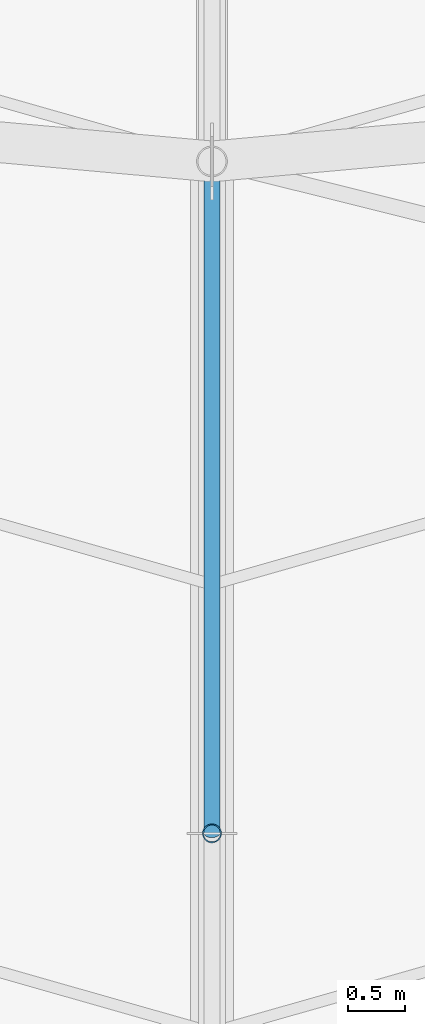
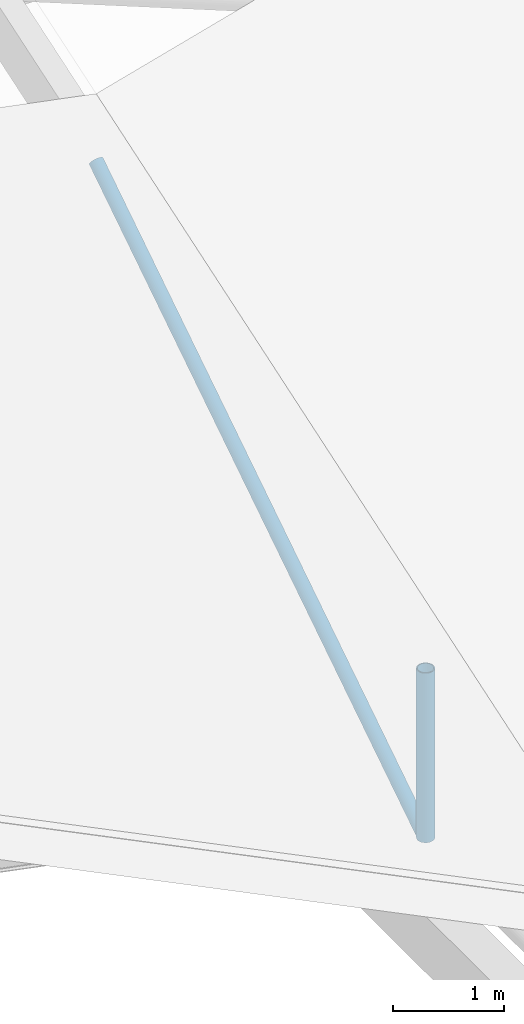
# One storey, part 20 of 66: 2 members.
"""IFC4 building model written with IfcOpenShell, lengths in metres."""

from ifc_helpers import new_model, si_unit, direction, frame, origin, origin_2d, place, context, subcontext, project, spatial, hollow_circle, extrude, material, material_profile, profile_set, type_object, element, save


model = new_model("IFC4")

# Units and contexts
model_context = context("Model", 3, precision=1e-05, world=origin(), true_north=direction((0.0, 1.0)))
body_context = subcontext(model_context, "Body", "Model", "MODEL_VIEW")
ifc_project = project(units=[si_unit("LENGTHUNIT", "METRE"), si_unit("AREAUNIT", "SQUARE_METRE"), si_unit("VOLUMEUNIT", "CUBIC_METRE"), si_unit("PLANEANGLEUNIT", "RADIAN"), si_unit("MASSUNIT", "GRAM", prefix="KILO")], contexts=[model_context])

# Site, building, storey
site_placement = place(None, origin())
site = spatial("IfcSite", under=ifc_project, at=site_placement, CompositionType="ELEMENT")
building_placement = place(site_placement, origin())
building = spatial("IfcBuilding", under=site, at=building_placement, Name="Zornivar Specialist Clinic", CompositionType="ELEMENT")
storey_placement = place(building_placement, frame((0.0, 0.0, 16.0)))
storey = spatial("IfcBuildingStorey", under=building, at=storey_placement, Name="L04", CompositionType="ELEMENT", Elevation=16.0)

# Members
ifc_material_1 = material(Name="Steel S355J2", Category="steel")
ifc_material_profile_1 = material_profile(ifc_material_1, hollow_circle(Radius=0.06982421875, WallThickness=0.008056640625, at=origin_2d()), Name="CHS 139.7x8")
ifc_profile_set_1 = profile_set([ifc_material_profile_1], Name="Steel S355J2")
member_type_1 = type_object("IfcMemberType", Name="MEM-DIAG-CHS140", PredefinedType="BRACE", material=ifc_profile_set_1)
member_1_placement = place(storey_placement, frame((93.60009765625, 41.760009765625, 0.360107421875), z_axis=(0.0, 0.839537753422, 0.543301353375), x_axis=(-1.0, 0.0, 0.0)))
element("IfcMember", 1, at=member_1_placement, inside=storey, type_object=member_type_1, Name="mem:V1:L04:diag2:6", PredefinedType="BRACE", context=body_context, shape_type="SweptSolid", body=[
    extrude(hollow_circle(Radius=0.06982421875, WallThickness=0.008056640625, at=origin_2d()), origin(), (0.0, 0.0, 1.0), 7.0751953125),
])
ifc_material_2 = material(Name="Steel S355J2", Category="steel")
ifc_material_profile_2 = material_profile(ifc_material_2, hollow_circle(Radius=0.084228515625, WallThickness=0.010009765625, at=origin_2d()), Name="CHS 168.3x10")
ifc_profile_set_2 = profile_set([ifc_material_profile_2], Name="Steel S355J2")
member_type_2 = type_object("IfcMemberType", Name="MEM-STRUT-CHS168", PredefinedType="STRUT", material=ifc_profile_set_2)
member_2_placement = place(storey_placement, frame((93.60009765625, 41.760009765625, 0.360107421875), z_axis=(0.0, 0.0, 1.0), x_axis=(1.0, 0.0, 0.0)))
element("IfcMember", 2, at=member_2_placement, inside=storey, type_object=member_type_2, Name="mem:V1:L04:vert1:6", PredefinedType="STRUT", context=body_context, shape_type="SweptSolid", body=[
    extrude(hollow_circle(Radius=0.084228515625, WallThickness=0.010009765625, at=origin_2d()), origin(), (0.0, 0.0, 1.0), 1.866943359375),
])

save(model, "model.ifc")
